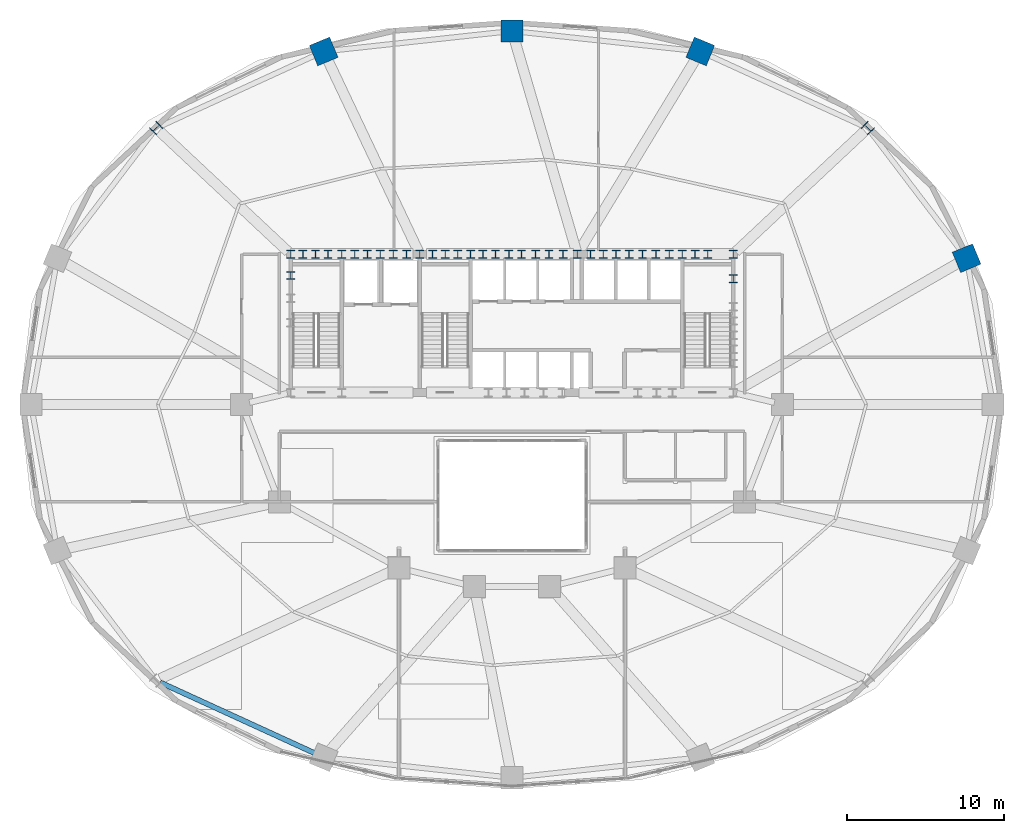
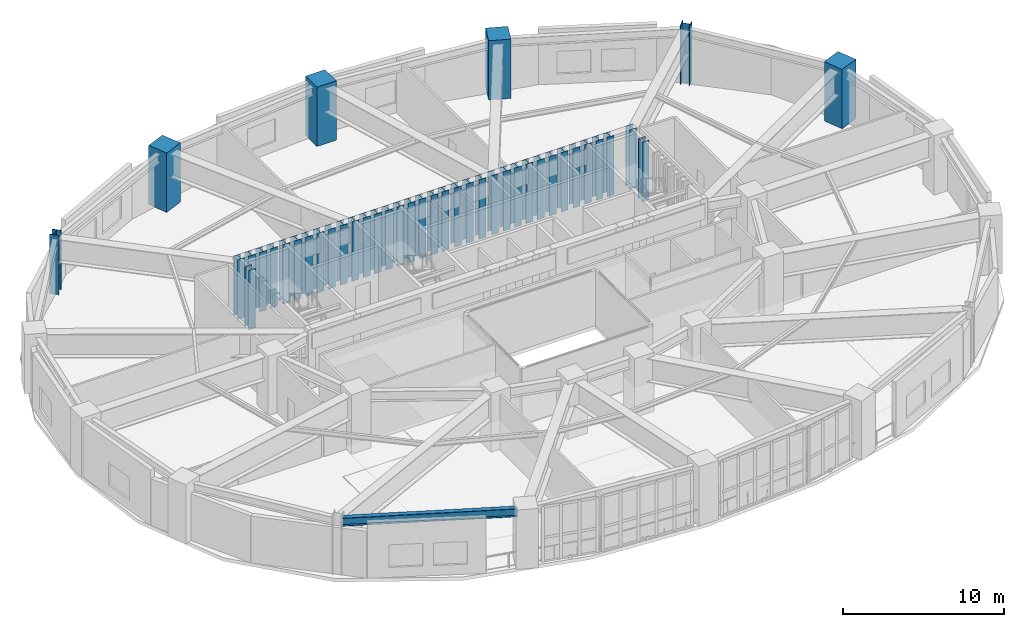
# One storey, part 2 of 13: 42 columns, 1 beam.
"""IFC4 building model written with IfcOpenShell, lengths in metres."""

from ifc_helpers import new_model, si_unit, direction, frame, origin, origin_2d, place, context, subcontext, project, spatial, rectangle, i_section, extrude, material, material_profile, profile_set, type_object, element, save


model = new_model("IFC4")

# Units and contexts
model_context = context("Model", 3, precision=1e-05, world=origin(), true_north=direction((0.0, 1.0)))
body_context = subcontext(model_context, "Body", "Model", "MODEL_VIEW")
ifc_project = project(units=[si_unit("LENGTHUNIT", "METRE"), si_unit("AREAUNIT", "SQUARE_METRE"), si_unit("VOLUMEUNIT", "CUBIC_METRE"), si_unit("PLANEANGLEUNIT", "RADIAN"), si_unit("MASSUNIT", "GRAM", prefix="KILO")], contexts=[model_context])

# Site, building, storey
site_placement = place(None, origin())
site = spatial("IfcSite", under=ifc_project, at=site_placement, CompositionType="ELEMENT")
building_placement = place(site_placement, origin())
building = spatial("IfcBuilding", under=site, at=building_placement, Name="Haldorwick Loom Tower", CompositionType="ELEMENT")
storey_placement = place(building_placement, frame((0.0, 0.0, 72.300048828125)))
storey = spatial("IfcBuildingStorey", under=building, at=storey_placement, Name="L19", CompositionType="ELEMENT", Elevation=72.300048828125)

# Columns
ifc_material_1 = material(Name="Concrete C60 (60 MPa)", Category="concrete")
ifc_material_profile_1 = material_profile(ifc_material_1, rectangle(XDim=1.39990234375, YDim=1.39990234375, at=origin_2d()), Name="RC1400X1400", Category="concrete")
ifc_profile_set_1 = profile_set([ifc_material_profile_1], Name="Concrete C60 (60 MPa)")
column_type_1 = type_object("IfcColumnType", Name="STR-COL-RC1400", PredefinedType="PILASTER", material=ifc_profile_set_1)
for number, where, z_axis, x_axis, name in (
    (1, (64.91748046875, 35.29931640625, 0.0), (0.0, 0.0, 1.0), (0.923879532511, 0.382683432365, 0.0), "L19 Perimeter Pier Column P02"),
    (2, (47.97802734375, 48.4501953125, 0.0), (0.0, 0.0, 1.0), (0.382683432365, 0.923879532511, 0.0), "L19 Perimeter Pier Column P04"),
    (3, (36.0, 49.75, 0.0), (0.0, 0.0, 1.0), (0.0, 1.0, 0.0), "L19 Perimeter Pier Column P05"),
    (4, (24.02197265625, 48.4501953125, 0.0), (0.0, 0.0, 1.0), (-0.382683432365, 0.923879532511, 0.0), "L19 Perimeter Pier Column P06"),
):
    element("IfcColumn", number, at=place(storey_placement, frame(where, z_axis=z_axis, x_axis=x_axis)), inside=storey, type_object=column_type_1, Name=name, PredefinedType="PILASTER", context=body_context, shape_type="SweptSolid", body=[
        extrude(rectangle(XDim=1.39990234375, YDim=1.39990234375, at=origin_2d()), origin(), (0.0, 0.0, 1.0), 4.5),
    ])
ifc_material_2 = material(Name="Steel CSA G40.21 350WT", Category="steel")
ifc_material_profile_2 = material_profile(ifc_material_2, i_section(OverallWidth=0.5, OverallDepth=0.5, WebThickness=0.02197265625, FlangeThickness=0.031982421875, at=origin_2d()), Name="WWF500X500", Category="steel")
ifc_profile_set_2 = profile_set([ifc_material_profile_2], Name="Steel CSA G40.21 350WT")
column_type_2 = type_object("IfcColumnType", Name="STR-COL-WWF500", PredefinedType="COLUMN", material=ifc_profile_set_2)
for number, where, z_axis, x_axis, name in (
    (5, (21.929931640625, 35.550048828125, 0.0), (0.0, 0.0, 1.0), (1.0, 0.0, 0.0), "L19 Core Pilaster CB-01"),
    (6, (23.5, 35.550048828125, 0.0), (0.0, 0.0, 1.0), (1.0, 0.0, 0.0), "L19 Core Pilaster CB-02"),
    (7, (25.169921875, 35.550048828125, 0.0), (0.0, 0.0, 1.0), (1.0, 0.0, 0.0), "L19 Core Pilaster CB-03"),
    (8, (26.800048828125, 35.550048828125, 0.0), (0.0, 0.0, 1.0), (1.0, 0.0, 0.0), "L19 Core Pilaster CB-04"),
    (9, (28.449951171875, 35.550048828125, 0.0), (0.0, 0.0, 1.0), (1.0, 0.0, 0.0), "L19 Core Pilaster CB-05"),
    (10, (30.1298828125, 35.550048828125, 0.0), (0.0, 0.0, 1.0), (1.0, 0.0, 0.0), "L19 Core Pilaster CB-06"),
    (11, (31.75, 35.550048828125, 0.0), (0.0, 0.0, 1.0), (1.0, 0.0, 0.0), "L19 Core Pilaster CB-07"),
    (12, (33.3701171875, 35.550048828125, 0.0), (0.0, 0.0, 1.0), (1.0, 0.0, 0.0), "L19 Core Pilaster CB-08"),
    (13, (34.949951171875, 35.550048828125, 0.0), (0.0, 0.0, 1.0), (1.0, 0.0, 0.0), "L19 Core Pilaster CB-09"),
    (14, (36.60009765625, 35.550048828125, 0.0), (0.0, 0.0, 1.0), (1.0, 0.0, 0.0), "L19 Core Pilaster CB-10"),
    (15, (38.35009765625, 35.550048828125, 0.0), (0.0, 0.0, 1.0), (1.0, 0.0, 0.0), "L19 Core Pilaster CB-11"),
    (16, (40.14990234375, 35.550048828125, 0.0), (0.0, 0.0, 1.0), (1.0, 0.0, 0.0), "L19 Core Pilaster CB-12"),
    (17, (41.800048828125, 35.550048828125, 0.0), (0.0, 0.0, 1.0), (1.0, 0.0, 0.0), "L19 Core Pilaster CB-13"),
    (18, (43.449951171875, 35.550048828125, 0.0), (0.0, 0.0, 1.0), (1.0, 0.0, 0.0), "L19 Core Pilaster CB-14"),
    (19, (45.14990234375, 35.550048828125, 0.0), (0.0, 0.0, 1.0), (1.0, 0.0, 0.0), "L19 Core Pilaster CB-15"),
    (20, (46.830078125, 35.550048828125, 0.0), (0.0, 0.0, 1.0), (1.0, 0.0, 0.0), "L19 Core Pilaster CB-16"),
    (21, (48.449951171875, 35.550048828125, 0.0), (0.0, 0.0, 1.0), (1.0, 0.0, 0.0), "L19 Core Pilaster CB-17"),
    (22, (50.070068359375, 35.550048828125, 0.0), (0.0, 0.0, 1.0), (1.0, 0.0, 0.0), "L19 Core Pilaster CB-18"),
    (23, (21.929931640625, 34.199951171875, 0.0), (0.0, 0.0, 1.0), (1.0, 0.0, 0.0), "L19 Core Pilaster CB-28"),
    (24, (50.070068359375, 34.0, 0.0), (0.0, 0.0, 1.0), (1.0, 0.0, 0.0), "L19 Core Pilaster CB-32"),
    (25, (22.699951171875, 35.550048828125, 0.0), (0.0, 0.0, 1.0), (1.0, 0.0, 0.0), "L19 Core Pilaster CB-33"),
    (26, (27.6201171875, 35.550048828125, 0.0), (0.0, 0.0, 1.0), (1.0, 0.0, 0.0), "L19 Core Pilaster CB-34"),
    (27, (32.550048828125, 35.550048828125, 0.0), (0.0, 0.0, 1.0), (1.0, 0.0, 0.0), "L19 Core Pilaster CB-35"),
    (28, (37.5, 35.550048828125, 0.0), (0.0, 0.0, 1.0), (1.0, 0.0, 0.0), "L19 Core Pilaster CB-36"),
    (29, (42.6201171875, 35.550048828125, 0.0), (0.0, 0.0, 1.0), (1.0, 0.0, 0.0), "L19 Core Pilaster CB-37"),
    (30, (47.64990234375, 35.550048828125, 0.0), (0.0, 0.0, 1.0), (1.0, 0.0, 0.0), "L19 Core Pilaster CB-38"),
    (31, (24.300048828125, 35.550048828125, 0.0), (0.0, 0.0, 1.0), (1.0, 0.0, 0.0), "L19 Core Pilaster CB-39"),
    (32, (26.0, 35.550048828125, 0.0), (0.0, 0.0, 1.0), (1.0, 0.0, 0.0), "L19 Core Pilaster CB-40"),
    (33, (29.300048828125, 35.550048828125, 0.0), (0.0, 0.0, 1.0), (1.0, 0.0, 0.0), "L19 Core Pilaster CB-41"),
    (34, (30.949951171875, 35.550048828125, 0.0), (0.0, 0.0, 1.0), (1.0, 0.0, 0.0), "L19 Core Pilaster CB-42"),
    (35, (34.14990234375, 35.550048828125, 0.0), (0.0, 0.0, 1.0), (1.0, 0.0, 0.0), "L19 Core Pilaster CB-43"),
    (36, (35.800048828125, 35.550048828125, 0.0), (0.0, 0.0, 1.0), (1.0, 0.0, 0.0), "L19 Core Pilaster CB-44"),
    (37, (39.25, 35.550048828125, 0.0), (0.0, 0.0, 1.0), (1.0, 0.0, 0.0), "L19 Core Pilaster CB-45"),
    (38, (41.0, 35.550048828125, 0.0), (0.0, 0.0, 1.0), (1.0, 0.0, 0.0), "L19 Core Pilaster CB-46"),
    (39, (44.300048828125, 35.550048828125, 0.0), (0.0, 0.0, 1.0), (1.0, 0.0, 0.0), "L19 Core Pilaster CB-47"),
    (40, (46.0, 35.550048828125, 0.0), (0.0, 0.0, 1.0), (1.0, 0.0, 0.0), "L19 Core Pilaster CB-48"),
):
    element("IfcColumn", number, at=place(storey_placement, frame(where, z_axis=z_axis, x_axis=x_axis)), inside=storey, type_object=column_type_2, Name=name, PredefinedType="COLUMN", context=body_context, shape_type="SweptSolid", body=[
        extrude(i_section(OverallWidth=0.5, OverallDepth=0.5, WebThickness=0.02197265625, FlangeThickness=0.031982421875, at=origin_2d()), origin(), (0.0, 0.0, 1.0), 4.5),
    ])
ifc_material_profile_3 = material_profile(ifc_material_2, i_section(OverallWidth=0.60009765625, OverallDepth=0.60009765625, WebThickness=0.02490234375, FlangeThickness=0.035888671875, at=origin_2d()), Name="WWF600X600", Category="steel")
ifc_profile_set_3 = profile_set([ifc_material_profile_3], Name="Steel CSA G40.21 350WT")
column_type_3 = type_object("IfcColumnType", Name="STR-COL-WWF600", PredefinedType="COLUMN", material=ifc_profile_set_3)
for number, where, z_axis, x_axis, name in (
    (41, (58.630126953125, 43.571533203125, 0.0), (0.0, 0.0, 1.0), (0.707106781187, 0.707106781187, 0.0), "L19 Perimeter Pier Column P03"),
    (42, (13.369873046875, 43.571533203125, 0.0), (0.0, 0.0, 1.0), (-0.707106781187, 0.707106781187, 0.0), "L19 Perimeter Pier Column P07"),
):
    element("IfcColumn", number, at=place(storey_placement, frame(where, z_axis=z_axis, x_axis=x_axis)), inside=storey, type_object=column_type_3, Name=name, PredefinedType="COLUMN", context=body_context, shape_type="SweptSolid", body=[
        extrude(i_section(OverallWidth=0.60009765625, OverallDepth=0.60009765625, WebThickness=0.02490234375, FlangeThickness=0.035888671875, at=origin_2d()), origin(), (0.0, 0.0, 1.0), 4.5),
    ])

# Beam
ifc_material_3 = material(Name="Steel CSA G40.21 350W", Category="steel")
ifc_material_profile_4 = material_profile(ifc_material_3, i_section(OverallWidth=0.324951171875, OverallDepth=0.615966796875, WebThickness=0.013916015625, FlangeThickness=0.021484375, at=origin_2d()), Name="W610X174", Category="steel")
ifc_profile_set_4 = profile_set([ifc_material_profile_4], Name="Steel CSA G40.21 350W")
beam_type = type_object("IfcBeamType", Name="STR-BM-SP610", PredefinedType="SPANDREL", material=ifc_profile_set_4)
beam_placement = place(storey_placement, frame((13.619873046875, 8.31396484375, 3.891845703125), z_axis=(0.909173805321, -0.416416848504, 0.0), x_axis=(0.416416848504, 0.909173805321, 0.0)))
element("IfcBeam", 43, at=beam_placement, inside=storey, type_object=beam_type, Name="L19 Perimeter Spandrel 11", PredefinedType="SPANDREL", context=body_context, shape_type="SweptSolid", body=[
    extrude(i_section(OverallWidth=0.324951171875, OverallDepth=0.615966796875, WebThickness=0.013916015625, FlangeThickness=0.021484375, at=origin_2d()), origin(), (0.0, 0.0, 1.0), 10.92138671875),
])

save(model, "model.ifc")
